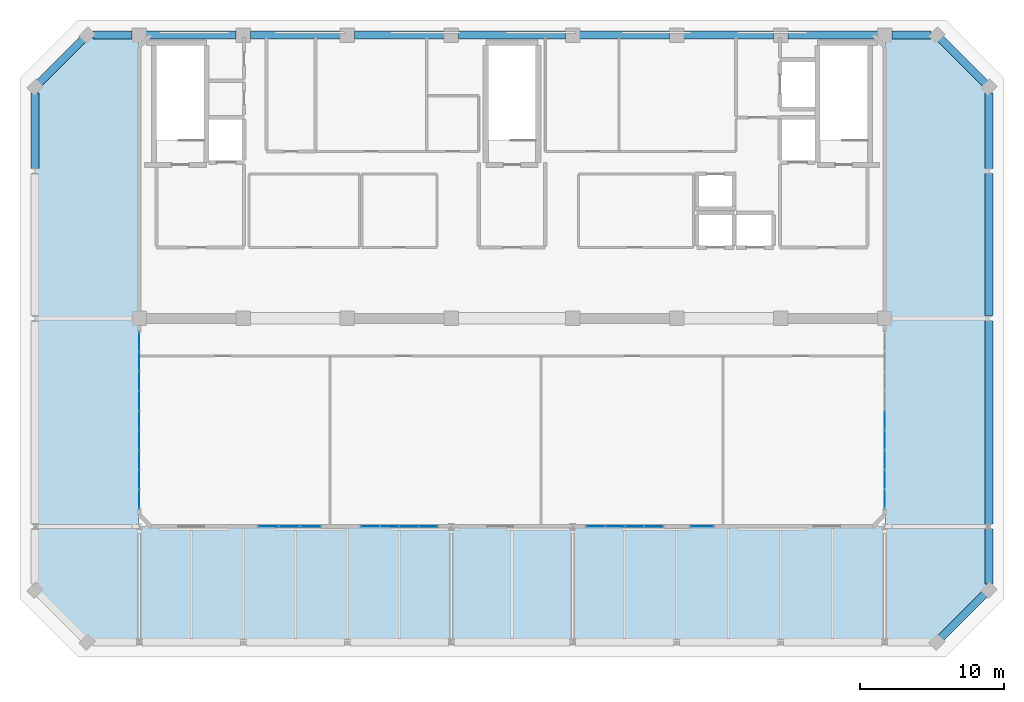
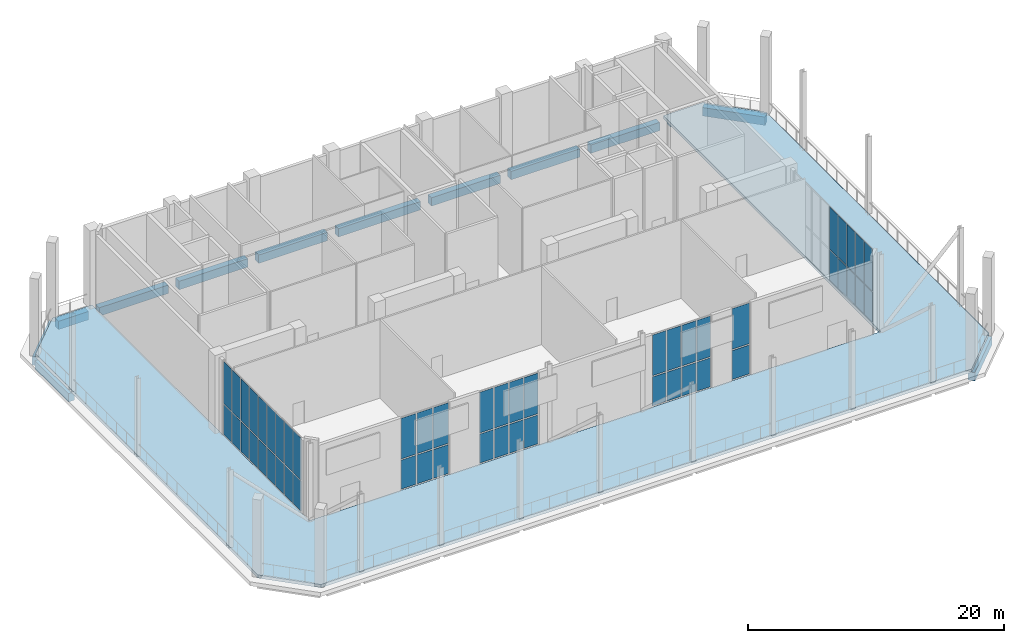
# One storey, part 19 of 23: 52 plates, 17 beams, 1 slab, 6 elements without a shape of their own.
"""IFC4 building model written with IfcOpenShell, lengths in metres."""

from ifc_helpers import new_model, si_unit, direction, frame, origin, origin_2d, place, context, subcontext, project, spatial, polyline, rectangle, outline, extrude, material, layer, layer_set, material_profile, profile_set, type_object, element, aggregate, save


model = new_model("IFC4")

# Units and contexts
model_context = context("Model", 3, precision=1e-05, world=origin(), true_north=direction((0.0, 1.0)))
body_context = subcontext(model_context, "Body", "Model", "MODEL_VIEW")
ifc_project = project(units=[si_unit("LENGTHUNIT", "METRE"), si_unit("AREAUNIT", "SQUARE_METRE"), si_unit("VOLUMEUNIT", "CUBIC_METRE"), si_unit("PLANEANGLEUNIT", "RADIAN"), si_unit("MASSUNIT", "GRAM", prefix="KILO")], contexts=[model_context])

# Site, building, storey
site_placement = place(None, origin())
site = spatial("IfcSite", under=ifc_project, at=site_placement, CompositionType="ELEMENT")
building_placement = place(site_placement, origin())
building = spatial("IfcBuilding", under=site, at=building_placement, Name="Kaelvorn Grand Hotel", CompositionType="ELEMENT")
storey_placement = place(building_placement, frame((0.0, 0.0, 310.699951171875)))
storey = spatial("IfcBuildingStorey", under=building, at=storey_placement, Name="L75", CompositionType="ELEMENT", Elevation=310.699951171875)

# Beams
ifc_material_1 = material(Name="Concrete C50/60", Category="concrete")
ifc_material_profile = material_profile(ifc_material_1, rectangle(XDim=0.550048828125, YDim=0.800048828125, at=origin_2d()), Name="RC SPANDREL 550x800")
ifc_profile_set = profile_set([ifc_material_profile], Name="Concrete C50/60")
beam_type = type_object("IfcBeamType", Name="BM-SP-550x800-C50", PredefinedType="SPANDREL", material=ifc_profile_set)
beam_1_placement = place(storey_placement, frame((13.0048828125, 49.0, -0.699951171875), z_axis=(1.0, 0.0, 0.0), x_axis=(0.0, 1.0, 0.0)))
element("IfcBeam", 1, at=beam_1_placement, inside=storey, type_object=beam_type, Name="L75 North Perimeter Spandrel 01", PredefinedType="SPANDREL", context=body_context, shape_type="SweptSolid", body=[
    extrude(rectangle(XDim=0.550048828125, YDim=0.800048828125, at=origin_2d()), origin(), (0.0, 0.0, 1.0), 2.710205078125),
])
for number, where, z_axis, x_axis, name in (
    (2, (16.68505859375, 49.0, -0.699951171875), (1.0, 0.0, 0.0), (0.0, 1.0, 0.0), "L75 North Perimeter Spandrel 02"),
    (3, (23.885009765625, 49.0, -0.699951171875), (1.0, 0.0, 0.0), (0.0, 1.0, 0.0), "L75 North Perimeter Spandrel 03"),
    (4, (31.0849609375, 49.0, -0.699951171875), (1.0, 0.0, 0.0), (0.0, 1.0, 0.0), "L75 North Perimeter Spandrel 04"),
):
    element("IfcBeam", number, at=place(storey_placement, frame(where, z_axis=z_axis, x_axis=x_axis)), inside=storey, type_object=beam_type, Name=name, PredefinedType="SPANDREL", context=body_context, shape_type="SweptSolid", body=[
        extrude(rectangle(XDim=0.550048828125, YDim=0.800048828125, at=origin_2d()), origin(), (0.0, 0.0, 1.0), 6.22998046875),
    ])
beam_2_placement = place(storey_placement, frame((38.284912109375, 49.0, -0.699951171875), z_axis=(1.0, 0.0, 0.0), x_axis=(0.0, 1.0, 0.0)))
element("IfcBeam", 5, at=beam_2_placement, inside=storey, type_object=beam_type, Name="L75 North Perimeter Spandrel 05", PredefinedType="SPANDREL", context=body_context, shape_type="SweptSolid", body=[
    extrude(rectangle(XDim=0.550048828125, YDim=0.800048828125, at=origin_2d()), origin(), (0.0, 0.0, 1.0), 7.43017578125),
])
for number, where, z_axis, x_axis, name in (
    (6, (46.68505859375, 49.0, -0.699951171875), (1.0, 0.0, 0.0), (0.0, 1.0, 0.0), "L75 North Perimeter Spandrel 06"),
    (7, (53.885009765625, 49.0, -0.699951171875), (1.0, 0.0, 0.0), (0.0, 1.0, 0.0), "L75 North Perimeter Spandrel 07"),
    (8, (61.0849609375, 49.0, -0.699951171875), (1.0, 0.0, 0.0), (0.0, 1.0, 0.0), "L75 North Perimeter Spandrel 08"),
):
    element("IfcBeam", number, at=place(storey_placement, frame(where, z_axis=z_axis, x_axis=x_axis)), inside=storey, type_object=beam_type, Name=name, PredefinedType="SPANDREL", context=body_context, shape_type="SweptSolid", body=[
        extrude(rectangle(XDim=0.550048828125, YDim=0.800048828125, at=origin_2d()), origin(), (0.0, 0.0, 1.0), 6.22998046875),
    ])
beam_3_placement = place(storey_placement, frame((68.284912109375, 49.0, -0.699951171875), z_axis=(1.0, 0.0, 0.0), x_axis=(0.0, 1.0, 0.0)))
element("IfcBeam", 9, at=beam_3_placement, inside=storey, type_object=beam_type, Name="L75 North Perimeter Spandrel 09", PredefinedType="SPANDREL", context=body_context, shape_type="SweptSolid", body=[
    extrude(rectangle(XDim=0.550048828125, YDim=0.800048828125, at=origin_2d()), origin(), (0.0, 0.0, 1.0), 2.710205078125),
])
beam_4_placement = place(storey_placement, frame((9.0, 39.784912109375, -0.699951171875), z_axis=(0.0, 1.0, 0.0), x_axis=(-1.0, 0.0, 0.0)))
element("IfcBeam", 10, at=beam_4_placement, inside=storey, type_object=beam_type, Name="L75 West Perimeter Spandrel 04", PredefinedType="SPANDREL", context=body_context, shape_type="SweptSolid", body=[
    extrude(rectangle(XDim=0.550048828125, YDim=0.800048828125, at=origin_2d()), origin(), (0.0, 0.0, 1.0), 5.210205078125),
])
beam_5_placement = place(storey_placement, frame((75.0, 11.0048828125, -0.699951171875), z_axis=(0.0, 1.0, 0.0), x_axis=(-1.0, 0.0, 0.0)))
element("IfcBeam", 11, at=beam_5_placement, inside=storey, type_object=beam_type, Name="L75 East Perimeter Spandrel 01", PredefinedType="SPANDREL", context=body_context, shape_type="SweptSolid", body=[
    extrude(rectangle(XDim=0.550048828125, YDim=0.800048828125, at=origin_2d()), origin(), (0.0, 0.0, 1.0), 3.81005859375),
])
beam_6_placement = place(storey_placement, frame((75.0, 15.18505859375, -0.699951171875), z_axis=(0.0, 1.0, 0.0), x_axis=(-1.0, 0.0, 0.0)))
element("IfcBeam", 12, at=beam_6_placement, inside=storey, type_object=beam_type, Name="L75 East Perimeter Spandrel 02", PredefinedType="SPANDREL", context=body_context, shape_type="SweptSolid", body=[
    extrude(rectangle(XDim=0.550048828125, YDim=0.800048828125, at=origin_2d()), origin(), (0.0, 0.0, 1.0), 14.030029296875),
])
beam_7_placement = place(storey_placement, frame((75.0, 29.5849609375, -0.699951171875), z_axis=(0.0, 1.0, 0.0), x_axis=(-1.0, 0.0, 0.0)))
element("IfcBeam", 13, at=beam_7_placement, inside=storey, type_object=beam_type, Name="L75 East Perimeter Spandrel 03", PredefinedType="SPANDREL", context=body_context, shape_type="SweptSolid", body=[
    extrude(rectangle(XDim=0.550048828125, YDim=0.800048828125, at=origin_2d()), origin(), (0.0, 0.0, 1.0), 9.830078125),
])
beam_8_placement = place(storey_placement, frame((75.0, 39.784912109375, -0.699951171875), z_axis=(0.0, 1.0, 0.0), x_axis=(-1.0, 0.0, 0.0)))
element("IfcBeam", 14, at=beam_8_placement, inside=storey, type_object=beam_type, Name="L75 East Perimeter Spandrel 04", PredefinedType="SPANDREL", context=body_context, shape_type="SweptSolid", body=[
    extrude(rectangle(XDim=0.550048828125, YDim=0.800048828125, at=origin_2d()), origin(), (0.0, 0.0, 1.0), 5.210205078125),
])
for number, where, z_axis, x_axis, name in (
    (15, (71.39990234375, 7.0, -0.699951171875), (0.707106781187, 0.707106781187, 0.0), (-0.707106781187, 0.707106781187, 0.0), "L75 Chamfer Spandrel Beam 1"),
    (16, (75.0, 45.39990234375, -0.699951171875), (-0.707106781187, 0.707106781187, 0.0), (-0.707106781187, -0.707106781187, 0.0), "L75 Chamfer Spandrel Beam 2"),
    (17, (12.60009765625, 49.0, -0.699951171875), (-0.707106781187, -0.707106781187, 0.0), (0.707106781187, -0.707106781187, 0.0), "L75 Chamfer Spandrel Beam 3"),
):
    element("IfcBeam", number, at=place(storey_placement, frame(where, z_axis=z_axis, x_axis=x_axis)), inside=storey, type_object=beam_type, Name=name, PredefinedType="SPANDREL", context=body_context, shape_type="SweptSolid", body=[
        extrude(rectangle(XDim=0.550048828125, YDim=0.800048828125, at=origin_2d()), origin(), (0.0, 0.0, 1.0), 5.09130859375),
    ])

# Curtain wall, plates
ifc_material_2 = material(Name="Anodised Aluminium", Category="aluminium")
ifc_layer_1 = layer(ifc_material_2, 0.159912109375)
ifc_layer_set_1 = layer_set([ifc_layer_1], Name="Anodised Aluminium")
curtain_wall_type = type_object("IfcCurtainWallType", Name="CW-SYS6", PredefinedType="NOTDEFINED", material=ifc_layer_set_1)
curtain_wall_1_placement = place(storey_placement, origin())
curtain_wall_1 = element("IfcCurtainWall", 18, at=curtain_wall_1_placement, inside=storey, type_object=curtain_wall_type, Name="L75 Unitised Curtain Wall CW6 (CW-L75-S1)", PredefinedType="NOTDEFINED")
ifc_material_3 = material(Name="Laminated Low-E Glass", Category="glass")
ifc_layer_2 = layer(ifc_material_3, 0.02587890625)
ifc_layer_set_2 = layer_set([ifc_layer_2], Name="Laminated Low-E Glass")
plate_type = type_object("IfcPlateType", Name="CW-SYS6-PAN", PredefinedType="CURTAIN_PANEL", material=ifc_layer_set_2)
plate_1_placement = place(storey_placement, frame((25.149658203125, 15.0, 0.1201171875), z_axis=(0.0, 0.0, 1.0), x_axis=(1.0, 0.0, 0.0)))
plate_1 = element("IfcPlate", 19, at=plate_1_placement, type_object=plate_type, Name="CW6 panel 1.1", PredefinedType="CURTAIN_PANEL", context=body_context, shape_type="SweptSolid", body=[
    extrude(rectangle(XDim=1.369140625, YDim=0.02587890625, at=origin_2d()), origin(), (0.0, 0.0, 1.0), 2.760009765625),
])
plate_2_placement = place(storey_placement, frame((25.149658203125, 15.0, 3.0), z_axis=(0.0, 0.0, 1.0), x_axis=(1.0, 0.0, 0.0)))
plate_2 = element("IfcPlate", 20, at=plate_2_placement, type_object=plate_type, Name="CW6 panel 1.2", PredefinedType="CURTAIN_PANEL", context=body_context, shape_type="SweptSolid", body=[
    extrude(rectangle(XDim=1.369140625, YDim=0.02587890625, at=origin_2d()), origin(), (0.0, 0.0, 1.0), 3.8798828125),
])
plate_3_placement = place(storey_placement, frame((26.60009765625, 15.0, 0.1201171875), z_axis=(0.0, 0.0, 1.0), x_axis=(1.0, 0.0, 0.0)))
plate_3 = element("IfcPlate", 21, at=plate_3_placement, type_object=plate_type, Name="CW6 panel 2.1", PredefinedType="CURTAIN_PANEL", context=body_context, shape_type="SweptSolid", body=[
    extrude(rectangle(XDim=1.401611328125, YDim=0.02587890625, at=origin_2d()), origin(), (0.0, 0.0, 1.0), 2.760009765625),
])
plate_4_placement = place(storey_placement, frame((26.60009765625, 15.0, 3.0), z_axis=(0.0, 0.0, 1.0), x_axis=(1.0, 0.0, 0.0)))
plate_4 = element("IfcPlate", 22, at=plate_4_placement, type_object=plate_type, Name="CW6 panel 2.2", PredefinedType="CURTAIN_PANEL", context=body_context, shape_type="SweptSolid", body=[
    extrude(rectangle(XDim=1.401611328125, YDim=0.02587890625, at=origin_2d()), origin(), (0.0, 0.0, 1.0), 3.8798828125),
])
plate_5_placement = place(storey_placement, frame((28.050537109375, 15.0, 0.1201171875), z_axis=(0.0, 0.0, 1.0), x_axis=(1.0, 0.0, 0.0)))
plate_5 = element("IfcPlate", 23, at=plate_5_placement, type_object=plate_type, Name="CW6 panel 3.1", PredefinedType="CURTAIN_PANEL", context=body_context, shape_type="SweptSolid", body=[
    extrude(rectangle(XDim=1.369140625, YDim=0.02587890625, at=origin_2d()), origin(), (0.0, 0.0, 1.0), 2.760009765625),
])
plate_6_placement = place(storey_placement, frame((28.050537109375, 15.0, 3.0), z_axis=(0.0, 0.0, 1.0), x_axis=(1.0, 0.0, 0.0)))
plate_6 = element("IfcPlate", 24, at=plate_6_placement, type_object=plate_type, Name="CW6 panel 3.2", PredefinedType="CURTAIN_PANEL", context=body_context, shape_type="SweptSolid", body=[
    extrude(rectangle(XDim=1.369140625, YDim=0.02587890625, at=origin_2d()), origin(), (0.0, 0.0, 1.0), 3.8798828125),
])
aggregate(curtain_wall_1, [plate_1, plate_2, plate_3, plate_4, plate_5, plate_6])

curtain_wall_2_placement = place(storey_placement, origin())
curtain_wall_2 = element("IfcCurtainWall", 25, at=curtain_wall_2_placement, inside=storey, type_object=curtain_wall_type, Name="L75 Unitised Curtain Wall CW6 (CW-L75-S2)", PredefinedType="NOTDEFINED")
plate_7_placement = place(storey_placement, frame((32.191162109375, 15.0, 0.1201171875), z_axis=(0.0, 0.0, 1.0), x_axis=(1.0, 0.0, 0.0)))
plate_7 = element("IfcPlate", 26, at=plate_7_placement, type_object=plate_type, Name="CW6 panel 1.1", PredefinedType="CURTAIN_PANEL", context=body_context, shape_type="SweptSolid", body=[
    extrude(rectangle(XDim=1.25244140625, YDim=0.02587890625, at=origin_2d()), origin(), (0.0, 0.0, 1.0), 2.760009765625),
])
plate_8_placement = place(storey_placement, frame((32.191162109375, 15.0, 3.0), z_axis=(0.0, 0.0, 1.0), x_axis=(1.0, 0.0, 0.0)))
plate_8 = element("IfcPlate", 27, at=plate_8_placement, type_object=plate_type, Name="CW6 panel 1.2", PredefinedType="CURTAIN_PANEL", context=body_context, shape_type="SweptSolid", body=[
    extrude(rectangle(XDim=1.25244140625, YDim=0.02587890625, at=origin_2d()), origin(), (0.0, 0.0, 1.0), 3.8798828125),
])
plate_9_placement = place(storey_placement, frame((33.52490234375, 15.0, 0.1201171875), z_axis=(0.0, 0.0, 1.0), x_axis=(1.0, 0.0, 0.0)))
plate_9 = element("IfcPlate", 28, at=plate_9_placement, type_object=plate_type, Name="CW6 panel 2.1", PredefinedType="CURTAIN_PANEL", context=body_context, shape_type="SweptSolid", body=[
    extrude(rectangle(XDim=1.284912109375, YDim=0.02587890625, at=origin_2d()), origin(), (0.0, 0.0, 1.0), 2.760009765625),
])
plate_10_placement = place(storey_placement, frame((33.52490234375, 15.0, 3.0), z_axis=(0.0, 0.0, 1.0), x_axis=(1.0, 0.0, 0.0)))
plate_10 = element("IfcPlate", 29, at=plate_10_placement, type_object=plate_type, Name="CW6 panel 2.2", PredefinedType="CURTAIN_PANEL", context=body_context, shape_type="SweptSolid", body=[
    extrude(rectangle(XDim=1.284912109375, YDim=0.02587890625, at=origin_2d()), origin(), (0.0, 0.0, 1.0), 3.8798828125),
])
plate_11_placement = place(storey_placement, frame((34.875, 15.0, 0.1201171875), z_axis=(0.0, 0.0, 1.0), x_axis=(1.0, 0.0, 0.0)))
plate_11 = element("IfcPlate", 30, at=plate_11_placement, type_object=plate_type, Name="CW6 panel 3.1", PredefinedType="CURTAIN_PANEL", context=body_context, shape_type="SweptSolid", body=[
    extrude(rectangle(XDim=1.284912109375, YDim=0.02587890625, at=origin_2d()), origin(), (0.0, 0.0, 1.0), 2.760009765625),
])
plate_12_placement = place(storey_placement, frame((34.875, 15.0, 3.0), z_axis=(0.0, 0.0, 1.0), x_axis=(1.0, 0.0, 0.0)))
plate_12 = element("IfcPlate", 31, at=plate_12_placement, type_object=plate_type, Name="CW6 panel 3.2", PredefinedType="CURTAIN_PANEL", context=body_context, shape_type="SweptSolid", body=[
    extrude(rectangle(XDim=1.284912109375, YDim=0.02587890625, at=origin_2d()), origin(), (0.0, 0.0, 1.0), 3.8798828125),
])
plate_13_placement = place(storey_placement, frame((36.208740234375, 15.0, 0.1201171875), z_axis=(0.0, 0.0, 1.0), x_axis=(1.0, 0.0, 0.0)))
plate_13 = element("IfcPlate", 32, at=plate_13_placement, type_object=plate_type, Name="CW6 panel 4.1", PredefinedType="CURTAIN_PANEL", context=body_context, shape_type="SweptSolid", body=[
    extrude(rectangle(XDim=1.25244140625, YDim=0.02587890625, at=origin_2d()), origin(), (0.0, 0.0, 1.0), 2.760009765625),
])
plate_14_placement = place(storey_placement, frame((36.208740234375, 15.0, 3.0), z_axis=(0.0, 0.0, 1.0), x_axis=(1.0, 0.0, 0.0)))
plate_14 = element("IfcPlate", 33, at=plate_14_placement, type_object=plate_type, Name="CW6 panel 4.2", PredefinedType="CURTAIN_PANEL", context=body_context, shape_type="SweptSolid", body=[
    extrude(rectangle(XDim=1.25244140625, YDim=0.02587890625, at=origin_2d()), origin(), (0.0, 0.0, 1.0), 3.8798828125),
])
aggregate(curtain_wall_2, [plate_7, plate_8, plate_9, plate_10, plate_11, plate_12, plate_13, plate_14])

curtain_wall_3_placement = place(storey_placement, origin())
curtain_wall_3 = element("IfcCurtainWall", 34, at=curtain_wall_3_placement, inside=storey, type_object=curtain_wall_type, Name="L75 Unitised Curtain Wall CW6 (CW-L75-S3)", PredefinedType="NOTDEFINED")
plate_15_placement = place(storey_placement, frame((47.791259765625, 15.0, 0.1201171875), z_axis=(0.0, 0.0, 1.0), x_axis=(1.0, 0.0, 0.0)))
plate_15 = element("IfcPlate", 35, at=plate_15_placement, type_object=plate_type, Name="CW6 panel 1.1", PredefinedType="CURTAIN_PANEL", context=body_context, shape_type="SweptSolid", body=[
    extrude(rectangle(XDim=1.25244140625, YDim=0.02587890625, at=origin_2d()), origin(), (0.0, 0.0, 1.0), 2.760009765625),
])
plate_16_placement = place(storey_placement, frame((47.791259765625, 15.0, 3.0), z_axis=(0.0, 0.0, 1.0), x_axis=(1.0, 0.0, 0.0)))
plate_16 = element("IfcPlate", 36, at=plate_16_placement, type_object=plate_type, Name="CW6 panel 1.2", PredefinedType="CURTAIN_PANEL", context=body_context, shape_type="SweptSolid", body=[
    extrude(rectangle(XDim=1.25244140625, YDim=0.02587890625, at=origin_2d()), origin(), (0.0, 0.0, 1.0), 3.8798828125),
])
plate_17_placement = place(storey_placement, frame((49.125, 15.0, 0.1201171875), z_axis=(0.0, 0.0, 1.0), x_axis=(1.0, 0.0, 0.0)))
plate_17 = element("IfcPlate", 37, at=plate_17_placement, type_object=plate_type, Name="CW6 panel 2.1", PredefinedType="CURTAIN_PANEL", context=body_context, shape_type="SweptSolid", body=[
    extrude(rectangle(XDim=1.284912109375, YDim=0.02587890625, at=origin_2d()), origin(), (0.0, 0.0, 1.0), 2.760009765625),
])
plate_18_placement = place(storey_placement, frame((49.125, 15.0, 3.0), z_axis=(0.0, 0.0, 1.0), x_axis=(1.0, 0.0, 0.0)))
plate_18 = element("IfcPlate", 38, at=plate_18_placement, type_object=plate_type, Name="CW6 panel 2.2", PredefinedType="CURTAIN_PANEL", context=body_context, shape_type="SweptSolid", body=[
    extrude(rectangle(XDim=1.284912109375, YDim=0.02587890625, at=origin_2d()), origin(), (0.0, 0.0, 1.0), 3.8798828125),
])
plate_19_placement = place(storey_placement, frame((50.47509765625, 15.0, 0.1201171875), z_axis=(0.0, 0.0, 1.0), x_axis=(1.0, 0.0, 0.0)))
plate_19 = element("IfcPlate", 39, at=plate_19_placement, type_object=plate_type, Name="CW6 panel 3.1", PredefinedType="CURTAIN_PANEL", context=body_context, shape_type="SweptSolid", body=[
    extrude(rectangle(XDim=1.284912109375, YDim=0.02587890625, at=origin_2d()), origin(), (0.0, 0.0, 1.0), 2.760009765625),
])
plate_20_placement = place(storey_placement, frame((50.47509765625, 15.0, 3.0), z_axis=(0.0, 0.0, 1.0), x_axis=(1.0, 0.0, 0.0)))
plate_20 = element("IfcPlate", 40, at=plate_20_placement, type_object=plate_type, Name="CW6 panel 3.2", PredefinedType="CURTAIN_PANEL", context=body_context, shape_type="SweptSolid", body=[
    extrude(rectangle(XDim=1.284912109375, YDim=0.02587890625, at=origin_2d()), origin(), (0.0, 0.0, 1.0), 3.8798828125),
])
plate_21_placement = place(storey_placement, frame((51.808837890625, 15.0, 0.1201171875), z_axis=(0.0, 0.0, 1.0), x_axis=(1.0, 0.0, 0.0)))
plate_21 = element("IfcPlate", 41, at=plate_21_placement, type_object=plate_type, Name="CW6 panel 4.1", PredefinedType="CURTAIN_PANEL", context=body_context, shape_type="SweptSolid", body=[
    extrude(rectangle(XDim=1.25244140625, YDim=0.02587890625, at=origin_2d()), origin(), (0.0, 0.0, 1.0), 2.760009765625),
])
plate_22_placement = place(storey_placement, frame((51.808837890625, 15.0, 3.0), z_axis=(0.0, 0.0, 1.0), x_axis=(1.0, 0.0, 0.0)))
plate_22 = element("IfcPlate", 42, at=plate_22_placement, type_object=plate_type, Name="CW6 panel 4.2", PredefinedType="CURTAIN_PANEL", context=body_context, shape_type="SweptSolid", body=[
    extrude(rectangle(XDim=1.25244140625, YDim=0.02587890625, at=origin_2d()), origin(), (0.0, 0.0, 1.0), 3.8798828125),
])
aggregate(curtain_wall_3, [plate_15, plate_16, plate_17, plate_18, plate_19, plate_20, plate_21, plate_22])

curtain_wall_4_placement = place(storey_placement, origin())
curtain_wall_4 = element("IfcCurtainWall", 43, at=curtain_wall_4_placement, inside=storey, type_object=curtain_wall_type, Name="L75 Unitised Curtain Wall CW6 (CW-L75-S4)", PredefinedType="NOTDEFINED")
plate_23_placement = place(storey_placement, frame((55.14990234375, 15.0, 0.1201171875), z_axis=(0.0, 0.0, 1.0), x_axis=(1.0, 0.0, 0.0)))
plate_23 = element("IfcPlate", 44, at=plate_23_placement, type_object=plate_type, Name="CW6 panel 1.1", PredefinedType="CURTAIN_PANEL", context=body_context, shape_type="SweptSolid", body=[
    extrude(rectangle(XDim=1.570068359375, YDim=0.02587890625, at=origin_2d()), origin(), (0.0, 0.0, 1.0), 2.760009765625),
])
plate_24_placement = place(storey_placement, frame((55.14990234375, 15.0, 3.0), z_axis=(0.0, 0.0, 1.0), x_axis=(1.0, 0.0, 0.0)))
plate_24 = element("IfcPlate", 45, at=plate_24_placement, type_object=plate_type, Name="CW6 panel 1.2", PredefinedType="CURTAIN_PANEL", context=body_context, shape_type="SweptSolid", body=[
    extrude(rectangle(XDim=1.570068359375, YDim=0.02587890625, at=origin_2d()), origin(), (0.0, 0.0, 1.0), 3.8798828125),
])
aggregate(curtain_wall_4, [plate_23, plate_24])

curtain_wall_5_placement = place(storey_placement, origin())
curtain_wall_5 = element("IfcCurtainWall", 46, at=curtain_wall_5_placement, inside=storey, type_object=curtain_wall_type, Name="L75 Unitised Curtain Wall CW6 (CW-L75-E-01)", PredefinedType="NOTDEFINED")
plate_25_placement = place(storey_placement, frame((67.800048828125, 16.8984375, 0.1201171875), z_axis=(0.0, 0.0, 1.0), x_axis=(0.0, 1.0, 0.0)))
plate_25 = element("IfcPlate", 47, at=plate_25_placement, type_object=plate_type, Name="CW6 panel 1.1", PredefinedType="CURTAIN_PANEL", context=body_context, shape_type="SweptSolid", body=[
    extrude(rectangle(XDim=1.266845703125, YDim=0.02587890625, at=origin_2d()), origin(), (0.0, 0.0, 1.0), 2.843994140625),
])
plate_26_placement = place(storey_placement, frame((67.800048828125, 16.8984375, 3.083984375), z_axis=(0.0, 0.0, 1.0), x_axis=(0.0, 1.0, 0.0)))
plate_26 = element("IfcPlate", 48, at=plate_26_placement, type_object=plate_type, Name="CW6 panel 1.2", PredefinedType="CURTAIN_PANEL", context=body_context, shape_type="SweptSolid", body=[
    extrude(rectangle(XDim=1.266845703125, YDim=0.02587890625, at=origin_2d()), origin(), (0.0, 0.0, 1.0), 3.99609375),
])
plate_27_placement = place(storey_placement, frame((67.800048828125, 18.24658203125, 0.1201171875), z_axis=(0.0, 0.0, 1.0), x_axis=(0.0, 1.0, 0.0)))
plate_27 = element("IfcPlate", 49, at=plate_27_placement, type_object=plate_type, Name="CW6 panel 2.1", PredefinedType="CURTAIN_PANEL", context=body_context, shape_type="SweptSolid", body=[
    extrude(rectangle(XDim=1.299560546875, YDim=0.02587890625, at=origin_2d()), origin(), (0.0, 0.0, 1.0), 2.843994140625),
])
plate_28_placement = place(storey_placement, frame((67.800048828125, 18.24658203125, 3.083984375), z_axis=(0.0, 0.0, 1.0), x_axis=(0.0, 1.0, 0.0)))
plate_28 = element("IfcPlate", 50, at=plate_28_placement, type_object=plate_type, Name="CW6 panel 2.2", PredefinedType="CURTAIN_PANEL", context=body_context, shape_type="SweptSolid", body=[
    extrude(rectangle(XDim=1.299560546875, YDim=0.02587890625, at=origin_2d()), origin(), (0.0, 0.0, 1.0), 3.99609375),
])
plate_29_placement = place(storey_placement, frame((67.800048828125, 19.611083984375, 0.1201171875), z_axis=(0.0, 0.0, 1.0), x_axis=(0.0, 1.0, 0.0)))
plate_29 = element("IfcPlate", 51, at=plate_29_placement, type_object=plate_type, Name="CW6 panel 3.1", PredefinedType="CURTAIN_PANEL", context=body_context, shape_type="SweptSolid", body=[
    extrude(rectangle(XDim=1.299560546875, YDim=0.02587890625, at=origin_2d()), origin(), (0.0, 0.0, 1.0), 2.843994140625),
])
plate_30_placement = place(storey_placement, frame((67.800048828125, 19.611083984375, 3.083984375), z_axis=(0.0, 0.0, 1.0), x_axis=(0.0, 1.0, 0.0)))
plate_30 = element("IfcPlate", 52, at=plate_30_placement, type_object=plate_type, Name="CW6 panel 3.2", PredefinedType="CURTAIN_PANEL", context=body_context, shape_type="SweptSolid", body=[
    extrude(rectangle(XDim=1.299560546875, YDim=0.02587890625, at=origin_2d()), origin(), (0.0, 0.0, 1.0), 3.99609375),
])
plate_31_placement = place(storey_placement, frame((67.800048828125, 20.9755859375, 0.1201171875), z_axis=(0.0, 0.0, 1.0), x_axis=(0.0, 1.0, 0.0)))
plate_31 = element("IfcPlate", 53, at=plate_31_placement, type_object=plate_type, Name="CW6 panel 4.1", PredefinedType="CURTAIN_PANEL", context=body_context, shape_type="SweptSolid", body=[
    extrude(rectangle(XDim=1.299560546875, YDim=0.02587890625, at=origin_2d()), origin(), (0.0, 0.0, 1.0), 2.843994140625),
])
plate_32_placement = place(storey_placement, frame((67.800048828125, 20.9755859375, 3.083984375), z_axis=(0.0, 0.0, 1.0), x_axis=(0.0, 1.0, 0.0)))
plate_32 = element("IfcPlate", 54, at=plate_32_placement, type_object=plate_type, Name="CW6 panel 4.2", PredefinedType="CURTAIN_PANEL", context=body_context, shape_type="SweptSolid", body=[
    extrude(rectangle(XDim=1.299560546875, YDim=0.02587890625, at=origin_2d()), origin(), (0.0, 0.0, 1.0), 3.99609375),
])
plate_33_placement = place(storey_placement, frame((67.800048828125, 22.340087890625, 0.1201171875), z_axis=(0.0, 0.0, 1.0), x_axis=(0.0, 1.0, 0.0)))
plate_33 = element("IfcPlate", 55, at=plate_33_placement, type_object=plate_type, Name="CW6 panel 5.1", PredefinedType="CURTAIN_PANEL", context=body_context, shape_type="SweptSolid", body=[
    extrude(rectangle(XDim=1.299560546875, YDim=0.02587890625, at=origin_2d()), origin(), (0.0, 0.0, 1.0), 2.843994140625),
])
plate_34_placement = place(storey_placement, frame((67.800048828125, 22.340087890625, 3.083984375), z_axis=(0.0, 0.0, 1.0), x_axis=(0.0, 1.0, 0.0)))
plate_34 = element("IfcPlate", 56, at=plate_34_placement, type_object=plate_type, Name="CW6 panel 5.2", PredefinedType="CURTAIN_PANEL", context=body_context, shape_type="SweptSolid", body=[
    extrude(rectangle(XDim=1.299560546875, YDim=0.02587890625, at=origin_2d()), origin(), (0.0, 0.0, 1.0), 3.99609375),
])
aggregate(curtain_wall_5, [plate_25, plate_26, plate_27, plate_28, plate_29, plate_30, plate_31, plate_32, plate_33, plate_34])

curtain_wall_6_placement = place(storey_placement, origin())
curtain_wall_6 = element("IfcCurtainWall", 57, at=curtain_wall_6_placement, inside=storey, type_object=curtain_wall_type, Name="L75 Unitised Curtain Wall CW6 (CW-L75-W-01)", PredefinedType="NOTDEFINED")
plate_35_placement = place(storey_placement, frame((16.199951171875, 27.781494140625, 0.1201171875), z_axis=(0.0, 0.0, 1.0), x_axis=(0.0, -1.0, 0.0)))
plate_35 = element("IfcPlate", 58, at=plate_35_placement, type_object=plate_type, Name="CW6 panel 1.1", PredefinedType="CURTAIN_PANEL", context=body_context, shape_type="SweptSolid", body=[
    extrude(rectangle(XDim=1.266845703125, YDim=0.02587890625, at=origin_2d()), origin(), (0.0, 0.0, 1.0), 2.843994140625),
])
plate_36_placement = place(storey_placement, frame((16.199951171875, 27.781494140625, 3.083984375), z_axis=(0.0, 0.0, 1.0), x_axis=(0.0, -1.0, 0.0)))
plate_36 = element("IfcPlate", 59, at=plate_36_placement, type_object=plate_type, Name="CW6 panel 1.2", PredefinedType="CURTAIN_PANEL", context=body_context, shape_type="SweptSolid", body=[
    extrude(rectangle(XDim=1.266845703125, YDim=0.02587890625, at=origin_2d()), origin(), (0.0, 0.0, 1.0), 3.99609375),
])
plate_37_placement = place(storey_placement, frame((16.199951171875, 26.433349609375, 0.1201171875), z_axis=(0.0, 0.0, 1.0), x_axis=(0.0, -1.0, 0.0)))
plate_37 = element("IfcPlate", 60, at=plate_37_placement, type_object=plate_type, Name="CW6 panel 2.1", PredefinedType="CURTAIN_PANEL", context=body_context, shape_type="SweptSolid", body=[
    extrude(rectangle(XDim=1.299560546875, YDim=0.02587890625, at=origin_2d()), origin(), (0.0, 0.0, 1.0), 2.843994140625),
])
plate_38_placement = place(storey_placement, frame((16.199951171875, 26.433349609375, 3.083984375), z_axis=(0.0, 0.0, 1.0), x_axis=(0.0, -1.0, 0.0)))
plate_38 = element("IfcPlate", 61, at=plate_38_placement, type_object=plate_type, Name="CW6 panel 2.2", PredefinedType="CURTAIN_PANEL", context=body_context, shape_type="SweptSolid", body=[
    extrude(rectangle(XDim=1.299560546875, YDim=0.02587890625, at=origin_2d()), origin(), (0.0, 0.0, 1.0), 3.99609375),
])
plate_39_placement = place(storey_placement, frame((16.199951171875, 25.06884765625, 0.1201171875), z_axis=(0.0, 0.0, 1.0), x_axis=(0.0, -1.0, 0.0)))
plate_39 = element("IfcPlate", 62, at=plate_39_placement, type_object=plate_type, Name="CW6 panel 3.1", PredefinedType="CURTAIN_PANEL", context=body_context, shape_type="SweptSolid", body=[
    extrude(rectangle(XDim=1.299560546875, YDim=0.02587890625, at=origin_2d()), origin(), (0.0, 0.0, 1.0), 2.843994140625),
])
plate_40_placement = place(storey_placement, frame((16.199951171875, 25.06884765625, 3.083984375), z_axis=(0.0, 0.0, 1.0), x_axis=(0.0, -1.0, 0.0)))
plate_40 = element("IfcPlate", 63, at=plate_40_placement, type_object=plate_type, Name="CW6 panel 3.2", PredefinedType="CURTAIN_PANEL", context=body_context, shape_type="SweptSolid", body=[
    extrude(rectangle(XDim=1.299560546875, YDim=0.02587890625, at=origin_2d()), origin(), (0.0, 0.0, 1.0), 3.99609375),
])
plate_41_placement = place(storey_placement, frame((16.199951171875, 23.704345703125, 0.1201171875), z_axis=(0.0, 0.0, 1.0), x_axis=(0.0, -1.0, 0.0)))
plate_41 = element("IfcPlate", 64, at=plate_41_placement, type_object=plate_type, Name="CW6 panel 4.1", PredefinedType="CURTAIN_PANEL", context=body_context, shape_type="SweptSolid", body=[
    extrude(rectangle(XDim=1.299560546875, YDim=0.02587890625, at=origin_2d()), origin(), (0.0, 0.0, 1.0), 2.843994140625),
])
plate_42_placement = place(storey_placement, frame((16.199951171875, 23.704345703125, 3.083984375), z_axis=(0.0, 0.0, 1.0), x_axis=(0.0, -1.0, 0.0)))
plate_42 = element("IfcPlate", 65, at=plate_42_placement, type_object=plate_type, Name="CW6 panel 4.2", PredefinedType="CURTAIN_PANEL", context=body_context, shape_type="SweptSolid", body=[
    extrude(rectangle(XDim=1.299560546875, YDim=0.02587890625, at=origin_2d()), origin(), (0.0, 0.0, 1.0), 3.99609375),
])
plate_43_placement = place(storey_placement, frame((16.199951171875, 22.340087890625, 0.1201171875), z_axis=(0.0, 0.0, 1.0), x_axis=(0.0, -1.0, 0.0)))
plate_43 = element("IfcPlate", 66, at=plate_43_placement, type_object=plate_type, Name="CW6 panel 5.1", PredefinedType="CURTAIN_PANEL", context=body_context, shape_type="SweptSolid", body=[
    extrude(rectangle(XDim=1.299560546875, YDim=0.02587890625, at=origin_2d()), origin(), (0.0, 0.0, 1.0), 2.843994140625),
])
plate_44_placement = place(storey_placement, frame((16.199951171875, 22.340087890625, 3.083984375), z_axis=(0.0, 0.0, 1.0), x_axis=(0.0, -1.0, 0.0)))
plate_44 = element("IfcPlate", 67, at=plate_44_placement, type_object=plate_type, Name="CW6 panel 5.2", PredefinedType="CURTAIN_PANEL", context=body_context, shape_type="SweptSolid", body=[
    extrude(rectangle(XDim=1.299560546875, YDim=0.02587890625, at=origin_2d()), origin(), (0.0, 0.0, 1.0), 3.99609375),
])
plate_45_placement = place(storey_placement, frame((16.199951171875, 20.9755859375, 0.1201171875), z_axis=(0.0, 0.0, 1.0), x_axis=(0.0, -1.0, 0.0)))
plate_45 = element("IfcPlate", 68, at=plate_45_placement, type_object=plate_type, Name="CW6 panel 6.1", PredefinedType="CURTAIN_PANEL", context=body_context, shape_type="SweptSolid", body=[
    extrude(rectangle(XDim=1.299560546875, YDim=0.02587890625, at=origin_2d()), origin(), (0.0, 0.0, 1.0), 2.843994140625),
])
plate_46_placement = place(storey_placement, frame((16.199951171875, 20.9755859375, 3.083984375), z_axis=(0.0, 0.0, 1.0), x_axis=(0.0, -1.0, 0.0)))
plate_46 = element("IfcPlate", 69, at=plate_46_placement, type_object=plate_type, Name="CW6 panel 6.2", PredefinedType="CURTAIN_PANEL", context=body_context, shape_type="SweptSolid", body=[
    extrude(rectangle(XDim=1.299560546875, YDim=0.02587890625, at=origin_2d()), origin(), (0.0, 0.0, 1.0), 3.99609375),
])
plate_47_placement = place(storey_placement, frame((16.199951171875, 19.611083984375, 0.1201171875), z_axis=(0.0, 0.0, 1.0), x_axis=(0.0, -1.0, 0.0)))
plate_47 = element("IfcPlate", 70, at=plate_47_placement, type_object=plate_type, Name="CW6 panel 7.1", PredefinedType="CURTAIN_PANEL", context=body_context, shape_type="SweptSolid", body=[
    extrude(rectangle(XDim=1.299560546875, YDim=0.02587890625, at=origin_2d()), origin(), (0.0, 0.0, 1.0), 2.843994140625),
])
plate_48_placement = place(storey_placement, frame((16.199951171875, 19.611083984375, 3.083984375), z_axis=(0.0, 0.0, 1.0), x_axis=(0.0, -1.0, 0.0)))
plate_48 = element("IfcPlate", 71, at=plate_48_placement, type_object=plate_type, Name="CW6 panel 7.2", PredefinedType="CURTAIN_PANEL", context=body_context, shape_type="SweptSolid", body=[
    extrude(rectangle(XDim=1.299560546875, YDim=0.02587890625, at=origin_2d()), origin(), (0.0, 0.0, 1.0), 3.99609375),
])
plate_49_placement = place(storey_placement, frame((16.199951171875, 18.24658203125, 0.1201171875), z_axis=(0.0, 0.0, 1.0), x_axis=(0.0, -1.0, 0.0)))
plate_49 = element("IfcPlate", 72, at=plate_49_placement, type_object=plate_type, Name="CW6 panel 8.1", PredefinedType="CURTAIN_PANEL", context=body_context, shape_type="SweptSolid", body=[
    extrude(rectangle(XDim=1.299560546875, YDim=0.02587890625, at=origin_2d()), origin(), (0.0, 0.0, 1.0), 2.843994140625),
])
plate_50_placement = place(storey_placement, frame((16.199951171875, 18.24658203125, 3.083984375), z_axis=(0.0, 0.0, 1.0), x_axis=(0.0, -1.0, 0.0)))
plate_50 = element("IfcPlate", 73, at=plate_50_placement, type_object=plate_type, Name="CW6 panel 8.2", PredefinedType="CURTAIN_PANEL", context=body_context, shape_type="SweptSolid", body=[
    extrude(rectangle(XDim=1.299560546875, YDim=0.02587890625, at=origin_2d()), origin(), (0.0, 0.0, 1.0), 3.99609375),
])
plate_51_placement = place(storey_placement, frame((16.199951171875, 16.8984375, 0.1201171875), z_axis=(0.0, 0.0, 1.0), x_axis=(0.0, -1.0, 0.0)))
plate_51 = element("IfcPlate", 74, at=plate_51_placement, type_object=plate_type, Name="CW6 panel 9.1", PredefinedType="CURTAIN_PANEL", context=body_context, shape_type="SweptSolid", body=[
    extrude(rectangle(XDim=1.266845703125, YDim=0.02587890625, at=origin_2d()), origin(), (0.0, 0.0, 1.0), 2.843994140625),
])
plate_52_placement = place(storey_placement, frame((16.199951171875, 16.8984375, 3.083984375), z_axis=(0.0, 0.0, 1.0), x_axis=(0.0, -1.0, 0.0)))
plate_52 = element("IfcPlate", 75, at=plate_52_placement, type_object=plate_type, Name="CW6 panel 9.2", PredefinedType="CURTAIN_PANEL", context=body_context, shape_type="SweptSolid", body=[
    extrude(rectangle(XDim=1.266845703125, YDim=0.02587890625, at=origin_2d()), origin(), (0.0, 0.0, 1.0), 3.99609375),
])
aggregate(curtain_wall_6, [plate_35, plate_36, plate_37, plate_38, plate_39, plate_40, plate_41, plate_42, plate_43, plate_44, plate_45, plate_46, plate_47, plate_48, plate_49, plate_50, plate_51, plate_52])

# Slab
ifc_material_4 = material(Name="Concrete C40/50", Category="concrete")
ifc_layer_3 = layer(ifc_material_4, 0.300048828125)
ifc_layer_set_3 = layer_set([ifc_layer_3], Name="Concrete C40/50")
slab_type = type_object("IfcSlabType", Name="SLB-OBS-300-C40", PredefinedType="FLOOR", material=ifc_layer_set_3)
slab_placement = place(storey_placement, frame((0.0, 0.0, -0.300048828125)))
element("IfcSlab", 76, at=slab_placement, inside=storey, type_object=slab_type, Name="L75 Open Observation Deck Terrace Floor Slab", PredefinedType="FLOOR", context=body_context, shape_type="SweptSolid", body=[
    extrude(outline(polyline([(12.60009765625, 7.0), (71.39990234375, 7.0), (75.0, 10.60009765625), (75.0, 45.39990234375), (71.39990234375, 49.0), (67.800048828125, 49.0), (67.800048828125, 15.0), (16.199951171875, 15.0), (16.199951171875, 49.0), (12.60009765625, 49.0), (9.0, 45.39990234375), (9.0, 10.60009765625), (12.60009765625, 7.0)])), origin(), (0.0, 0.0, 1.0), 0.300048828125),
])

save(model, "model.ifc")
